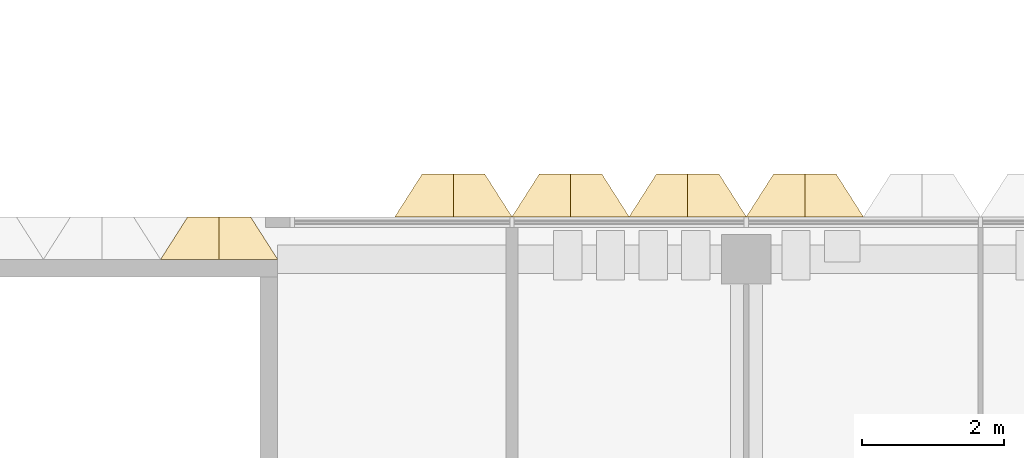
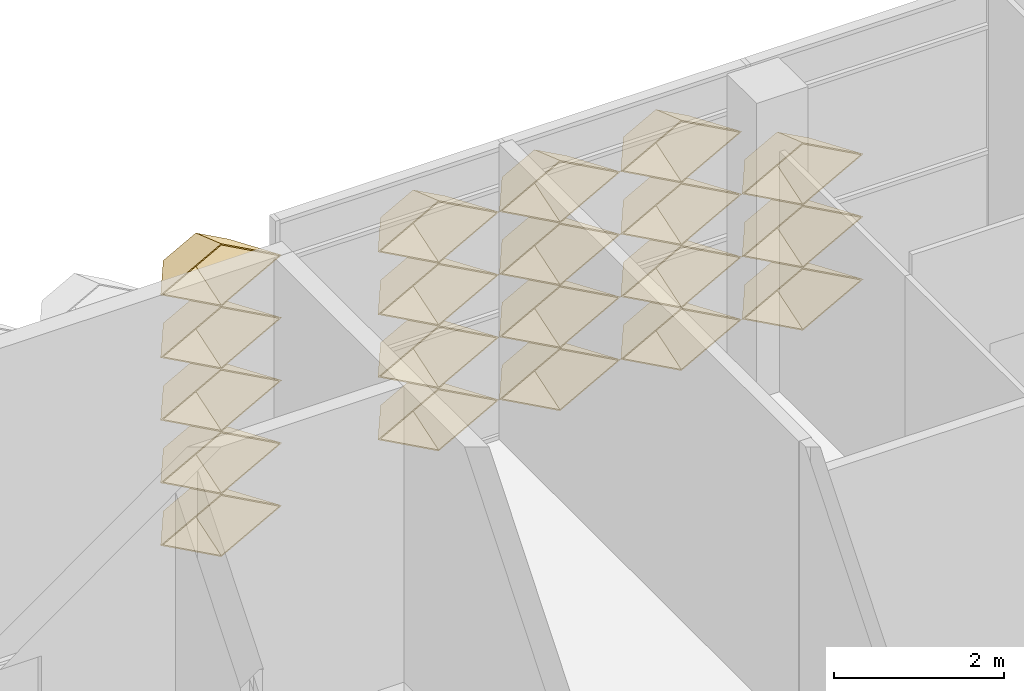
# One storey, part 45 of 61: 20 coverings.
"""IFC4 building model written with IfcOpenShell, lengths in metres."""

import ifcopenshell
import ifcopenshell.guid

model = None  # the IFC model being written
_history = None  # IfcOwnerHistory: only IFC2X3 demands one
_inside = {}  # id of a spatial element -> (the spatial element, [elements in it])
_under = {}  # id of a project, library or spatial element -> (it, [spatial elements below it])
_declared = {}  # id of a project -> (the project, [libraries it declares])
_typed = {}  # id of a type object -> (the type object, [elements of that type])
_made_of = {}  # id of a material, layer set ... -> (it, [elements and type objects made of it])


def new_model(schema):
    """Start an empty IFC model of exactly this schema.

    Asked for "IFC4X3", IfcOpenShell would pick the latest addendum, in which some entities
    have other attributes; the version numbers below select the first issue.
    IFC2X3 requires an IfcOwnerHistory on every rooted entity: one is made here for all.
    """
    global model, _history
    if schema == "IFC4X3":
        model = ifcopenshell.file(schema_version=(4, 3, 0, 0))
    else:
        model = ifcopenshell.file(schema=schema)
    _inside.clear()
    _under.clear()
    _declared.clear()
    _typed.clear()
    _made_of.clear()
    _history = None
    if model.schema == "IFC2X3":
        org = make("IfcOrganization", Name="unknown")
        user = make(
            "IfcPersonAndOrganization",
            ThePerson=make("IfcPerson", FamilyName="unknown"),
            TheOrganization=org,
        )
        app = make(
            "IfcApplication",
            ApplicationDeveloper=org,
            Version="unknown",
            ApplicationFullName="unknown",
            ApplicationIdentifier="unknown",
        )
        _history = make(
            "IfcOwnerHistory",
            OwningUser=user,
            OwningApplication=app,
            ChangeAction="ADDED",
            CreationDate=0,
        )
    return model


def make(cls, **values):
    """One entity of the class cls with the attributes given. An attribute that is None is left unset."""
    return model.create_entity(
        cls, **{name: value for name, value in values.items() if value is not None}
    )


def entity(cls, *values):
    """Any entity or typed value of the class cls, its attributes in the order of the schema. None: left unset."""
    e = model.create_entity(cls)
    for i, value in enumerate(values):
        if value is not None:
            e[i] = value
    return e


def rooted(cls, **values):
    """An entity with a GlobalId (a new one), such as an element, a storey or a relation."""
    return make(cls, GlobalId=ifcopenshell.guid.new(), OwnerHistory=_history, **values)


def si_unit(unit_type, name, prefix=None):
    """IfcSIUnit, for example si_unit("LENGTHUNIT", "METRE", prefix="MILLI")."""
    return make("IfcSIUnit", UnitType=unit_type, Prefix=prefix, Name=name)


def assignment(units):
    """IfcUnitAssignment: the units of a project."""
    return None if units is None else make("IfcUnitAssignment", Units=units)


def point(xyz):
    """IfcCartesianPoint."""
    return None if xyz is None else make("IfcCartesianPoint", Coordinates=xyz)


def direction(xyz):
    """IfcDirection."""
    return None if xyz is None else make("IfcDirection", DirectionRatios=xyz)


def frame(location, z_axis=None, x_axis=None):
    """IfcAxis2Placement3D, a coordinate frame: its origin and axes. An axis left out is left unset."""
    return make(
        "IfcAxis2Placement3D",
        Location=point(location),
        Axis=direction(z_axis),
        RefDirection=direction(x_axis),
    )


def origin():
    """The frame at (0, 0, 0) with its axes left unset."""
    return frame((0.0, 0.0, 0.0))


def place(relative_to, where):
    """IfcLocalPlacement: puts the frame where relative to a parent placement (None: the world)."""
    return make(
        "IfcLocalPlacement", PlacementRelTo=relative_to, RelativePlacement=where
    )


def context(
    kind, dimensions, precision=None, world=None, true_north=None, identifier=None
):
    """IfcGeometricRepresentationContext, for example the 3D "Model" context."""
    return make(
        "IfcGeometricRepresentationContext",
        ContextIdentifier=identifier,
        ContextType=kind,
        CoordinateSpaceDimension=dimensions,
        Precision=precision,
        WorldCoordinateSystem=world,
        TrueNorth=true_north,
    )


def subcontext(parent, identifier, kind, view, scale=None):
    """IfcGeometricRepresentationSubContext, for example "Body" below "Model"."""
    return make(
        "IfcGeometricRepresentationSubContext",
        ContextIdentifier=identifier,
        ContextType=kind,
        ParentContext=parent,
        TargetScale=scale,
        TargetView=view,
    )


def project(units=None, contexts=None):
    """IfcProject with its units and contexts."""
    return rooted(
        "IfcProject",
        Name="project",
        RepresentationContexts=contexts,
        UnitsInContext=assignment(units),
    )


def spatial(cls, under=None, at=None, **own):
    """A site, building, storey or space (cls), placed at a placement, below another one or the project."""
    s = rooted(cls, ObjectPlacement=at, **own)
    if under is not None:
        _under.setdefault(under.id(), (under, []))[1].append(s)
    return s


def shape(context_of_items, identifier, shape_type, items):
    """IfcShapeRepresentation: the items that make up one representation, for example the "Body"."""
    return make(
        "IfcShapeRepresentation",
        ContextOfItems=context_of_items,
        RepresentationIdentifier=identifier,
        RepresentationType=shape_type,
        Items=items,
    )


def material(Name=None, Category=None):
    """IfcMaterial."""
    return make("IfcMaterial", Name=Name, Category=Category)


def layer(
    of_material, thickness, ventilated=None, Name=None, Category=None, Priority=None
):
    """IfcMaterialLayer: one layer of a wall or slab, of a material (None: an air gap)."""
    return make(
        "IfcMaterialLayer",
        Material=of_material,
        LayerThickness=thickness,
        IsVentilated=ventilated,
        Name=Name,
        Category=Category,
        Priority=Priority,
    )


def layer_set(layers, Name=None):
    """IfcMaterialLayerSet."""
    return make("IfcMaterialLayerSet", MaterialLayers=layers, LayerSetName=Name)


def made_of(thing, what):
    """Note that an element or type object is made of a material, layer set ...; save() writes the relation."""
    if what is not None:
        _made_of.setdefault(what.id(), (what, []))[1].append(thing)
    return thing


def type_object(cls, material=None, **own):
    """A type object (cls), such as IfcWallType, which elements share."""
    return made_of(rooted(cls, **own), material)


def element(
    cls,
    number,
    at=None,
    inside=None,
    cuts=None,
    type_object=None,
    material=None,
    context=None,
    identifier="Body",
    shape_type=None,
    held_by="IfcProductDefinitionShape",
    body=None,
    shapes=None,
    **own,
):
    """One element of the class cls, such as IfcWall. Its Tag is "e" and its number.

    at: its placement. inside: the storey or other place that contains it. cuts: it is an
    opening in that element (IfcRelVoidsElement). A single representation is given by context,
    identifier, shape_type and body (its items); several are given by shapes. held_by: the class
    of the entity that holds the representations. save() writes the other relations.
    """
    e = rooted(cls, Tag="e%d" % number, ObjectPlacement=at, **own)
    if body is not None:
        shapes = [shape(context, identifier, shape_type, body)]
    if shapes is not None:
        e.Representation = make(held_by, Representations=shapes)
    if inside is not None:
        _inside.setdefault(inside.id(), (inside, []))[1].append(e)
    if cuts is not None:
        rooted(
            "IfcRelVoidsElement", RelatingBuildingElement=cuts, RelatedOpeningElement=e
        )
    if type_object is not None:
        _typed.setdefault(type_object.id(), (type_object, []))[1].append(e)
    return made_of(e, material)


def aggregate(whole, parts):
    """IfcRelAggregates: a whole, such as a stair, and the parts it consists of."""
    return rooted("IfcRelAggregates", RelatingObject=whole, RelatedObjects=parts)


def save(model, path):
    """Write the relations noted so far, then the file.

    IfcRelAggregates (storeys below a building ...), IfcRelContainedInSpatialStructure (elements
    in a storey), IfcRelDefinesByType, IfcRelAssociatesMaterial and IfcRelDeclares: one each for
    every whole, place, type object, material and project.
    """
    for whole, parts in _under.values():
        aggregate(whole, parts)
    for where, things in _inside.values():
        rooted(
            "IfcRelContainedInSpatialStructure",
            RelatedElements=things,
            RelatingStructure=where,
        )
    for kind, things in _typed.values():
        rooted("IfcRelDefinesByType", RelatedObjects=things, RelatingType=kind)
    for what, things in _made_of.values():
        rooted("IfcRelAssociatesMaterial", RelatedObjects=things, RelatingMaterial=what)
    for by, libraries in _declared.values():
        rooted("IfcRelDeclares", RelatingContext=by, RelatedDefinitions=libraries)
    model.write(path)


model = new_model("IFC4")

# Units and contexts
model_context = context("Model", 3, precision=1e-05, world=origin(), true_north=direction((0.0, 1.0)))
body_context = subcontext(model_context, "Body", "Model", "MODEL_VIEW")
ifc_project = project(units=[si_unit("LENGTHUNIT", "METRE"), si_unit("AREAUNIT", "SQUARE_METRE"), si_unit("VOLUMEUNIT", "CUBIC_METRE"), si_unit("PLANEANGLEUNIT", "RADIAN"), si_unit("MASSUNIT", "GRAM", prefix="KILO")], contexts=[model_context])

# Site, building, storey
site_placement = place(None, origin())
site = spatial("IfcSite", under=ifc_project, at=site_placement, CompositionType="ELEMENT")
building_placement = place(site_placement, origin())
building = spatial("IfcBuilding", under=site, at=building_placement, Name="Lantern Court Research Institute", CompositionType="ELEMENT")
storey_placement = place(building_placement, frame((0.0, 0.0, 23.39990234375)))
storey = spatial("IfcBuildingStorey", under=building, at=storey_placement, Name="L05", CompositionType="ELEMENT", Elevation=23.39990234375)

# Coverings
ifc_material = material(Name="Anodised aluminium", Category="aluminium")
ifc_layer = layer(ifc_material, 0.01611328125)
ifc_layer_set = layer_set([ifc_layer], Name="Anodised aluminium")
covering_type = type_object("IfcCoveringType", Name="Fin cassette 1650 x 900 x 600 aluminium", PredefinedType="CLADDING", material=ifc_layer_set)
covering_1_placement = place(storey_placement, frame((38.77490234375, 23.10009765625, 0.4501953125), z_axis=(0.0, 1.0, 0.0), x_axis=(-1.0, 0.0, 0.0)))
cartesian_point_1 = entity("IfcCartesianPoint", [0.824951171875, 0.0])
cartesian_point_2 = entity("IfcCartesianPoint", [0.79150390625, 0.0])
cartesian_point_3 = entity("IfcCartesianPoint", [0.44189453125, 0.0])
cartesian_point_4 = entity("IfcCartesianPoint", [0.43359375, 0.0])
element("IfcCovering", 1, at=covering_1_placement, inside=storey, type_object=covering_type, Name="Fin cassette V4N-L05 1.24", PredefinedType="CLADDING", context=body_context, shape_type="SweptSolid", body=[
    entity("IfcExtrudedAreaSolidTapered", entity("IfcArbitraryProfileDefWithVoids", "AREA", None, entity("IfcPolyline", [cartesian_point_1, entity("IfcCartesianPoint", [0.0, 0.449951171875]), entity("IfcCartesianPoint", [-0.824951171875, 0.0]), entity("IfcCartesianPoint", [0.0, -0.449951171875]), cartesian_point_1]), [entity("IfcPolyline", [cartesian_point_2, entity("IfcCartesianPoint", [0.0, 0.431884765625]), entity("IfcCartesianPoint", [-0.79150390625, 0.0]), entity("IfcCartesianPoint", [0.0, -0.431884765625]), cartesian_point_2])]), entity("IfcAxis2Placement3D", entity("IfcCartesianPoint", [0.0, 0.0, 0.0])), entity("IfcDirection", [0.0, 0.0, 1.0]), 0.60009765625, entity("IfcArbitraryProfileDefWithVoids", "AREA", None, entity("IfcPolyline", [cartesian_point_3, entity("IfcCartesianPoint", [0.0, 0.240966796875]), entity("IfcCartesianPoint", [-0.44189453125, 0.0]), entity("IfcCartesianPoint", [0.0, -0.240966796875]), cartesian_point_3]), [entity("IfcPolyline", [cartesian_point_4, entity("IfcCartesianPoint", [0.0, 0.236572265625]), entity("IfcCartesianPoint", [-0.43359375, 0.0]), entity("IfcCartesianPoint", [0.0, -0.236572265625]), cartesian_point_4])])),
])
covering_2_placement = place(storey_placement, frame((38.77490234375, 23.10009765625, 1.35009765625), z_axis=(0.0, 1.0, 0.0), x_axis=(-1.0, 0.0, 0.0)))
cartesian_point_5 = entity("IfcCartesianPoint", [0.824951171875, 0.0])
cartesian_point_6 = entity("IfcCartesianPoint", [0.79150390625, 0.0])
cartesian_point_7 = entity("IfcCartesianPoint", [0.44189453125, 0.0])
cartesian_point_8 = entity("IfcCartesianPoint", [0.43359375, 0.0])
element("IfcCovering", 2, at=covering_2_placement, inside=storey, type_object=covering_type, Name="Fin cassette V4N-L05 2.24", PredefinedType="CLADDING", context=body_context, shape_type="SweptSolid", body=[
    entity("IfcExtrudedAreaSolidTapered", entity("IfcArbitraryProfileDefWithVoids", "AREA", None, entity("IfcPolyline", [cartesian_point_5, entity("IfcCartesianPoint", [0.0, 0.449951171875]), entity("IfcCartesianPoint", [-0.824951171875, 0.0]), entity("IfcCartesianPoint", [0.0, -0.449951171875]), cartesian_point_5]), [entity("IfcPolyline", [cartesian_point_6, entity("IfcCartesianPoint", [0.0, 0.431884765625]), entity("IfcCartesianPoint", [-0.79150390625, 0.0]), entity("IfcCartesianPoint", [0.0, -0.431884765625]), cartesian_point_6])]), entity("IfcAxis2Placement3D", entity("IfcCartesianPoint", [0.0, 0.0, 0.0])), entity("IfcDirection", [0.0, 0.0, 1.0]), 0.60009765625, entity("IfcArbitraryProfileDefWithVoids", "AREA", None, entity("IfcPolyline", [cartesian_point_7, entity("IfcCartesianPoint", [0.0, 0.240966796875]), entity("IfcCartesianPoint", [-0.44189453125, 0.0]), entity("IfcCartesianPoint", [0.0, -0.240966796875]), cartesian_point_7]), [entity("IfcPolyline", [cartesian_point_8, entity("IfcCartesianPoint", [0.0, 0.236572265625]), entity("IfcCartesianPoint", [-0.43359375, 0.0]), entity("IfcCartesianPoint", [0.0, -0.236572265625]), cartesian_point_8])])),
])
covering_3_placement = place(storey_placement, frame((38.77490234375, 23.10009765625, 2.25), z_axis=(0.0, 1.0, 0.0), x_axis=(-1.0, 0.0, 0.0)))
cartesian_point_9 = entity("IfcCartesianPoint", [0.824951171875, 0.0])
cartesian_point_10 = entity("IfcCartesianPoint", [0.79150390625, 0.0])
cartesian_point_11 = entity("IfcCartesianPoint", [0.44189453125, 0.0])
cartesian_point_12 = entity("IfcCartesianPoint", [0.43359375, 0.0])
element("IfcCovering", 3, at=covering_3_placement, inside=storey, type_object=covering_type, Name="Fin cassette V4N-L05 3.24", PredefinedType="CLADDING", context=body_context, shape_type="SweptSolid", body=[
    entity("IfcExtrudedAreaSolidTapered", entity("IfcArbitraryProfileDefWithVoids", "AREA", None, entity("IfcPolyline", [cartesian_point_9, entity("IfcCartesianPoint", [0.0, 0.449951171875]), entity("IfcCartesianPoint", [-0.824951171875, 0.0]), entity("IfcCartesianPoint", [0.0, -0.449951171875]), cartesian_point_9]), [entity("IfcPolyline", [cartesian_point_10, entity("IfcCartesianPoint", [0.0, 0.431884765625]), entity("IfcCartesianPoint", [-0.79150390625, 0.0]), entity("IfcCartesianPoint", [0.0, -0.431884765625]), cartesian_point_10])]), entity("IfcAxis2Placement3D", entity("IfcCartesianPoint", [0.0, 0.0, 0.0])), entity("IfcDirection", [0.0, 0.0, 1.0]), 0.60009765625, entity("IfcArbitraryProfileDefWithVoids", "AREA", None, entity("IfcPolyline", [cartesian_point_11, entity("IfcCartesianPoint", [0.0, 0.240966796875]), entity("IfcCartesianPoint", [-0.44189453125, 0.0]), entity("IfcCartesianPoint", [0.0, -0.240966796875]), cartesian_point_11]), [entity("IfcPolyline", [cartesian_point_12, entity("IfcCartesianPoint", [0.0, 0.236572265625]), entity("IfcCartesianPoint", [-0.43359375, 0.0]), entity("IfcCartesianPoint", [0.0, -0.236572265625]), cartesian_point_12])])),
])
covering_4_placement = place(storey_placement, frame((38.77490234375, 23.10009765625, 3.150146484375), z_axis=(0.0, 1.0, 0.0), x_axis=(-1.0, 0.0, 0.0)))
cartesian_point_13 = entity("IfcCartesianPoint", [0.824951171875, 0.0])
cartesian_point_14 = entity("IfcCartesianPoint", [0.79150390625, 0.0])
cartesian_point_15 = entity("IfcCartesianPoint", [0.44189453125, 0.0])
cartesian_point_16 = entity("IfcCartesianPoint", [0.43359375, 0.0])
element("IfcCovering", 4, at=covering_4_placement, inside=storey, type_object=covering_type, Name="Fin cassette V4N-L05 4.24", PredefinedType="CLADDING", context=body_context, shape_type="SweptSolid", body=[
    entity("IfcExtrudedAreaSolidTapered", entity("IfcArbitraryProfileDefWithVoids", "AREA", None, entity("IfcPolyline", [cartesian_point_13, entity("IfcCartesianPoint", [0.0, 0.449951171875]), entity("IfcCartesianPoint", [-0.824951171875, 0.0]), entity("IfcCartesianPoint", [0.0, -0.449951171875]), cartesian_point_13]), [entity("IfcPolyline", [cartesian_point_14, entity("IfcCartesianPoint", [0.0, 0.431884765625]), entity("IfcCartesianPoint", [-0.79150390625, 0.0]), entity("IfcCartesianPoint", [0.0, -0.431884765625]), cartesian_point_14])]), entity("IfcAxis2Placement3D", entity("IfcCartesianPoint", [0.0, 0.0, 0.0])), entity("IfcDirection", [0.0, 0.0, 1.0]), 0.60009765625, entity("IfcArbitraryProfileDefWithVoids", "AREA", None, entity("IfcPolyline", [cartesian_point_15, entity("IfcCartesianPoint", [0.0, 0.240966796875]), entity("IfcCartesianPoint", [-0.44189453125, 0.0]), entity("IfcCartesianPoint", [0.0, -0.240966796875]), cartesian_point_15]), [entity("IfcPolyline", [cartesian_point_16, entity("IfcCartesianPoint", [0.0, 0.236572265625]), entity("IfcCartesianPoint", [-0.43359375, 0.0]), entity("IfcCartesianPoint", [0.0, -0.236572265625]), cartesian_point_16])])),
])
covering_5_placement = place(storey_placement, frame((38.77490234375, 23.10009765625, 4.050048828125), z_axis=(0.0, 1.0, 0.0), x_axis=(-1.0, 0.0, 0.0)))
cartesian_point_17 = entity("IfcCartesianPoint", [0.824951171875, 0.0])
cartesian_point_18 = entity("IfcCartesianPoint", [0.79150390625, 0.0])
cartesian_point_19 = entity("IfcCartesianPoint", [0.44189453125, 0.0])
cartesian_point_20 = entity("IfcCartesianPoint", [0.43359375, 0.0])
element("IfcCovering", 5, at=covering_5_placement, inside=storey, type_object=covering_type, Name="Fin cassette V4N-L05 5.24", PredefinedType="CLADDING", context=body_context, shape_type="SweptSolid", body=[
    entity("IfcExtrudedAreaSolidTapered", entity("IfcArbitraryProfileDefWithVoids", "AREA", None, entity("IfcPolyline", [cartesian_point_17, entity("IfcCartesianPoint", [0.0, 0.449951171875]), entity("IfcCartesianPoint", [-0.824951171875, 0.0]), entity("IfcCartesianPoint", [0.0, -0.449951171875]), cartesian_point_17]), [entity("IfcPolyline", [cartesian_point_18, entity("IfcCartesianPoint", [0.0, 0.431884765625]), entity("IfcCartesianPoint", [-0.79150390625, 0.0]), entity("IfcCartesianPoint", [0.0, -0.431884765625]), cartesian_point_18])]), entity("IfcAxis2Placement3D", entity("IfcCartesianPoint", [0.0, 0.0, 0.0])), entity("IfcDirection", [0.0, 0.0, 1.0]), 0.60009765625, entity("IfcArbitraryProfileDefWithVoids", "AREA", None, entity("IfcPolyline", [cartesian_point_19, entity("IfcCartesianPoint", [0.0, 0.240966796875]), entity("IfcCartesianPoint", [-0.44189453125, 0.0]), entity("IfcCartesianPoint", [0.0, -0.240966796875]), cartesian_point_19]), [entity("IfcPolyline", [cartesian_point_20, entity("IfcCartesianPoint", [0.0, 0.236572265625]), entity("IfcCartesianPoint", [-0.43359375, 0.0]), entity("IfcCartesianPoint", [0.0, -0.236572265625]), cartesian_point_20])])),
])
covering_6_placement = place(storey_placement, frame((42.074951171875, 23.699951171875, 0.4501953125), z_axis=(0.0, 1.0, 0.0), x_axis=(-1.0, 0.0, 0.0)))
cartesian_point_21 = entity("IfcCartesianPoint", [0.824951171875, 0.0])
cartesian_point_22 = entity("IfcCartesianPoint", [0.79150390625, 0.0])
cartesian_point_23 = entity("IfcCartesianPoint", [0.44189453125, 0.0])
cartesian_point_24 = entity("IfcCartesianPoint", [0.43359375, 0.0])
element("IfcCovering", 6, at=covering_6_placement, inside=storey, type_object=covering_type, Name="Fin cassette V4N-L05 1.26", PredefinedType="CLADDING", context=body_context, shape_type="SweptSolid", body=[
    entity("IfcExtrudedAreaSolidTapered", entity("IfcArbitraryProfileDefWithVoids", "AREA", None, entity("IfcPolyline", [cartesian_point_21, entity("IfcCartesianPoint", [0.0, 0.449951171875]), entity("IfcCartesianPoint", [-0.824951171875, 0.0]), entity("IfcCartesianPoint", [0.0, -0.449951171875]), cartesian_point_21]), [entity("IfcPolyline", [cartesian_point_22, entity("IfcCartesianPoint", [0.0, 0.431884765625]), entity("IfcCartesianPoint", [-0.79150390625, 0.0]), entity("IfcCartesianPoint", [0.0, -0.431884765625]), cartesian_point_22])]), entity("IfcAxis2Placement3D", entity("IfcCartesianPoint", [0.0, 0.0, 0.0])), entity("IfcDirection", [0.0, 0.0, 1.0]), 0.60009765625, entity("IfcArbitraryProfileDefWithVoids", "AREA", None, entity("IfcPolyline", [cartesian_point_23, entity("IfcCartesianPoint", [0.0, 0.240966796875]), entity("IfcCartesianPoint", [-0.44189453125, 0.0]), entity("IfcCartesianPoint", [0.0, -0.240966796875]), cartesian_point_23]), [entity("IfcPolyline", [cartesian_point_24, entity("IfcCartesianPoint", [0.0, 0.236572265625]), entity("IfcCartesianPoint", [-0.43359375, 0.0]), entity("IfcCartesianPoint", [0.0, -0.236572265625]), cartesian_point_24])])),
])
covering_7_placement = place(storey_placement, frame((43.72509765625, 23.699951171875, 0.4501953125), z_axis=(0.0, 1.0, 0.0), x_axis=(-1.0, 0.0, 0.0)))
cartesian_point_25 = entity("IfcCartesianPoint", [0.824951171875, 0.0])
cartesian_point_26 = entity("IfcCartesianPoint", [0.79150390625, 0.0])
cartesian_point_27 = entity("IfcCartesianPoint", [0.44189453125, 0.0])
cartesian_point_28 = entity("IfcCartesianPoint", [0.43359375, 0.0])
element("IfcCovering", 7, at=covering_7_placement, inside=storey, type_object=covering_type, Name="Fin cassette V4N-L05 1.27", PredefinedType="CLADDING", context=body_context, shape_type="SweptSolid", body=[
    entity("IfcExtrudedAreaSolidTapered", entity("IfcArbitraryProfileDefWithVoids", "AREA", None, entity("IfcPolyline", [cartesian_point_25, entity("IfcCartesianPoint", [0.0, 0.449951171875]), entity("IfcCartesianPoint", [-0.824951171875, 0.0]), entity("IfcCartesianPoint", [0.0, -0.449951171875]), cartesian_point_25]), [entity("IfcPolyline", [cartesian_point_26, entity("IfcCartesianPoint", [0.0, 0.431884765625]), entity("IfcCartesianPoint", [-0.79150390625, 0.0]), entity("IfcCartesianPoint", [0.0, -0.431884765625]), cartesian_point_26])]), entity("IfcAxis2Placement3D", entity("IfcCartesianPoint", [0.0, 0.0, 0.0])), entity("IfcDirection", [0.0, 0.0, 1.0]), 0.60009765625, entity("IfcArbitraryProfileDefWithVoids", "AREA", None, entity("IfcPolyline", [cartesian_point_27, entity("IfcCartesianPoint", [0.0, 0.240966796875]), entity("IfcCartesianPoint", [-0.44189453125, 0.0]), entity("IfcCartesianPoint", [0.0, -0.240966796875]), cartesian_point_27]), [entity("IfcPolyline", [cartesian_point_28, entity("IfcCartesianPoint", [0.0, 0.236572265625]), entity("IfcCartesianPoint", [-0.43359375, 0.0]), entity("IfcCartesianPoint", [0.0, -0.236572265625]), cartesian_point_28])])),
])
covering_8_placement = place(storey_placement, frame((45.375, 23.699951171875, 0.4501953125), z_axis=(0.0, 1.0, 0.0), x_axis=(-1.0, 0.0, 0.0)))
cartesian_point_29 = entity("IfcCartesianPoint", [0.824951171875, 0.0])
cartesian_point_30 = entity("IfcCartesianPoint", [0.79150390625, 0.0])
cartesian_point_31 = entity("IfcCartesianPoint", [0.44189453125, 0.0])
cartesian_point_32 = entity("IfcCartesianPoint", [0.43359375, 0.0])
element("IfcCovering", 8, at=covering_8_placement, inside=storey, type_object=covering_type, Name="Fin cassette V4N-L05 1.28", PredefinedType="CLADDING", context=body_context, shape_type="SweptSolid", body=[
    entity("IfcExtrudedAreaSolidTapered", entity("IfcArbitraryProfileDefWithVoids", "AREA", None, entity("IfcPolyline", [cartesian_point_29, entity("IfcCartesianPoint", [0.0, 0.449951171875]), entity("IfcCartesianPoint", [-0.824951171875, 0.0]), entity("IfcCartesianPoint", [0.0, -0.449951171875]), cartesian_point_29]), [entity("IfcPolyline", [cartesian_point_30, entity("IfcCartesianPoint", [0.0, 0.431884765625]), entity("IfcCartesianPoint", [-0.79150390625, 0.0]), entity("IfcCartesianPoint", [0.0, -0.431884765625]), cartesian_point_30])]), entity("IfcAxis2Placement3D", entity("IfcCartesianPoint", [0.0, 0.0, 0.0])), entity("IfcDirection", [0.0, 0.0, 1.0]), 0.60009765625, entity("IfcArbitraryProfileDefWithVoids", "AREA", None, entity("IfcPolyline", [cartesian_point_31, entity("IfcCartesianPoint", [0.0, 0.240966796875]), entity("IfcCartesianPoint", [-0.44189453125, 0.0]), entity("IfcCartesianPoint", [0.0, -0.240966796875]), cartesian_point_31]), [entity("IfcPolyline", [cartesian_point_32, entity("IfcCartesianPoint", [0.0, 0.236572265625]), entity("IfcCartesianPoint", [-0.43359375, 0.0]), entity("IfcCartesianPoint", [0.0, -0.236572265625]), cartesian_point_32])])),
])
covering_9_placement = place(storey_placement, frame((47.02490234375, 23.699951171875, 0.4501953125), z_axis=(0.0, 1.0, 0.0), x_axis=(-1.0, 0.0, 0.0)))
cartesian_point_33 = entity("IfcCartesianPoint", [0.824951171875, 0.0])
cartesian_point_34 = entity("IfcCartesianPoint", [0.79150390625, 0.0])
cartesian_point_35 = entity("IfcCartesianPoint", [0.44189453125, 0.0])
cartesian_point_36 = entity("IfcCartesianPoint", [0.43359375, 0.0])
element("IfcCovering", 9, at=covering_9_placement, inside=storey, type_object=covering_type, Name="Fin cassette V4N-L05 1.29", PredefinedType="CLADDING", context=body_context, shape_type="SweptSolid", body=[
    entity("IfcExtrudedAreaSolidTapered", entity("IfcArbitraryProfileDefWithVoids", "AREA", None, entity("IfcPolyline", [cartesian_point_33, entity("IfcCartesianPoint", [0.0, 0.449951171875]), entity("IfcCartesianPoint", [-0.824951171875, 0.0]), entity("IfcCartesianPoint", [0.0, -0.449951171875]), cartesian_point_33]), [entity("IfcPolyline", [cartesian_point_34, entity("IfcCartesianPoint", [0.0, 0.431884765625]), entity("IfcCartesianPoint", [-0.79150390625, 0.0]), entity("IfcCartesianPoint", [0.0, -0.431884765625]), cartesian_point_34])]), entity("IfcAxis2Placement3D", entity("IfcCartesianPoint", [0.0, 0.0, 0.0])), entity("IfcDirection", [0.0, 0.0, 1.0]), 0.60009765625, entity("IfcArbitraryProfileDefWithVoids", "AREA", None, entity("IfcPolyline", [cartesian_point_35, entity("IfcCartesianPoint", [0.0, 0.240966796875]), entity("IfcCartesianPoint", [-0.44189453125, 0.0]), entity("IfcCartesianPoint", [0.0, -0.240966796875]), cartesian_point_35]), [entity("IfcPolyline", [cartesian_point_36, entity("IfcCartesianPoint", [0.0, 0.236572265625]), entity("IfcCartesianPoint", [-0.43359375, 0.0]), entity("IfcCartesianPoint", [0.0, -0.236572265625]), cartesian_point_36])])),
])
covering_10_placement = place(storey_placement, frame((42.074951171875, 23.699951171875, 1.35009765625), z_axis=(0.0, 1.0, 0.0), x_axis=(-1.0, 0.0, 0.0)))
cartesian_point_37 = entity("IfcCartesianPoint", [0.824951171875, 0.0])
cartesian_point_38 = entity("IfcCartesianPoint", [0.79150390625, 0.0])
cartesian_point_39 = entity("IfcCartesianPoint", [0.44189453125, 0.0])
cartesian_point_40 = entity("IfcCartesianPoint", [0.43359375, 0.0])
element("IfcCovering", 10, at=covering_10_placement, inside=storey, type_object=covering_type, Name="Fin cassette V4N-L05 2.26", PredefinedType="CLADDING", context=body_context, shape_type="SweptSolid", body=[
    entity("IfcExtrudedAreaSolidTapered", entity("IfcArbitraryProfileDefWithVoids", "AREA", None, entity("IfcPolyline", [cartesian_point_37, entity("IfcCartesianPoint", [0.0, 0.449951171875]), entity("IfcCartesianPoint", [-0.824951171875, 0.0]), entity("IfcCartesianPoint", [0.0, -0.449951171875]), cartesian_point_37]), [entity("IfcPolyline", [cartesian_point_38, entity("IfcCartesianPoint", [0.0, 0.431884765625]), entity("IfcCartesianPoint", [-0.79150390625, 0.0]), entity("IfcCartesianPoint", [0.0, -0.431884765625]), cartesian_point_38])]), entity("IfcAxis2Placement3D", entity("IfcCartesianPoint", [0.0, 0.0, 0.0])), entity("IfcDirection", [0.0, 0.0, 1.0]), 0.60009765625, entity("IfcArbitraryProfileDefWithVoids", "AREA", None, entity("IfcPolyline", [cartesian_point_39, entity("IfcCartesianPoint", [0.0, 0.240966796875]), entity("IfcCartesianPoint", [-0.44189453125, 0.0]), entity("IfcCartesianPoint", [0.0, -0.240966796875]), cartesian_point_39]), [entity("IfcPolyline", [cartesian_point_40, entity("IfcCartesianPoint", [0.0, 0.236572265625]), entity("IfcCartesianPoint", [-0.43359375, 0.0]), entity("IfcCartesianPoint", [0.0, -0.236572265625]), cartesian_point_40])])),
])
covering_11_placement = place(storey_placement, frame((43.72509765625, 23.699951171875, 1.35009765625), z_axis=(0.0, 1.0, 0.0), x_axis=(-1.0, 0.0, 0.0)))
cartesian_point_41 = entity("IfcCartesianPoint", [0.824951171875, 0.0])
cartesian_point_42 = entity("IfcCartesianPoint", [0.79150390625, 0.0])
cartesian_point_43 = entity("IfcCartesianPoint", [0.44189453125, 0.0])
cartesian_point_44 = entity("IfcCartesianPoint", [0.43359375, 0.0])
element("IfcCovering", 11, at=covering_11_placement, inside=storey, type_object=covering_type, Name="Fin cassette V4N-L05 2.27", PredefinedType="CLADDING", context=body_context, shape_type="SweptSolid", body=[
    entity("IfcExtrudedAreaSolidTapered", entity("IfcArbitraryProfileDefWithVoids", "AREA", None, entity("IfcPolyline", [cartesian_point_41, entity("IfcCartesianPoint", [0.0, 0.449951171875]), entity("IfcCartesianPoint", [-0.824951171875, 0.0]), entity("IfcCartesianPoint", [0.0, -0.449951171875]), cartesian_point_41]), [entity("IfcPolyline", [cartesian_point_42, entity("IfcCartesianPoint", [0.0, 0.431884765625]), entity("IfcCartesianPoint", [-0.79150390625, 0.0]), entity("IfcCartesianPoint", [0.0, -0.431884765625]), cartesian_point_42])]), entity("IfcAxis2Placement3D", entity("IfcCartesianPoint", [0.0, 0.0, 0.0])), entity("IfcDirection", [0.0, 0.0, 1.0]), 0.60009765625, entity("IfcArbitraryProfileDefWithVoids", "AREA", None, entity("IfcPolyline", [cartesian_point_43, entity("IfcCartesianPoint", [0.0, 0.240966796875]), entity("IfcCartesianPoint", [-0.44189453125, 0.0]), entity("IfcCartesianPoint", [0.0, -0.240966796875]), cartesian_point_43]), [entity("IfcPolyline", [cartesian_point_44, entity("IfcCartesianPoint", [0.0, 0.236572265625]), entity("IfcCartesianPoint", [-0.43359375, 0.0]), entity("IfcCartesianPoint", [0.0, -0.236572265625]), cartesian_point_44])])),
])
covering_12_placement = place(storey_placement, frame((45.375, 23.699951171875, 1.35009765625), z_axis=(0.0, 1.0, 0.0), x_axis=(-1.0, 0.0, 0.0)))
cartesian_point_45 = entity("IfcCartesianPoint", [0.824951171875, 0.0])
cartesian_point_46 = entity("IfcCartesianPoint", [0.79150390625, 0.0])
cartesian_point_47 = entity("IfcCartesianPoint", [0.44189453125, 0.0])
cartesian_point_48 = entity("IfcCartesianPoint", [0.43359375, 0.0])
element("IfcCovering", 12, at=covering_12_placement, inside=storey, type_object=covering_type, Name="Fin cassette V4N-L05 2.28", PredefinedType="CLADDING", context=body_context, shape_type="SweptSolid", body=[
    entity("IfcExtrudedAreaSolidTapered", entity("IfcArbitraryProfileDefWithVoids", "AREA", None, entity("IfcPolyline", [cartesian_point_45, entity("IfcCartesianPoint", [0.0, 0.449951171875]), entity("IfcCartesianPoint", [-0.824951171875, 0.0]), entity("IfcCartesianPoint", [0.0, -0.449951171875]), cartesian_point_45]), [entity("IfcPolyline", [cartesian_point_46, entity("IfcCartesianPoint", [0.0, 0.431884765625]), entity("IfcCartesianPoint", [-0.79150390625, 0.0]), entity("IfcCartesianPoint", [0.0, -0.431884765625]), cartesian_point_46])]), entity("IfcAxis2Placement3D", entity("IfcCartesianPoint", [0.0, 0.0, 0.0])), entity("IfcDirection", [0.0, 0.0, 1.0]), 0.60009765625, entity("IfcArbitraryProfileDefWithVoids", "AREA", None, entity("IfcPolyline", [cartesian_point_47, entity("IfcCartesianPoint", [0.0, 0.240966796875]), entity("IfcCartesianPoint", [-0.44189453125, 0.0]), entity("IfcCartesianPoint", [0.0, -0.240966796875]), cartesian_point_47]), [entity("IfcPolyline", [cartesian_point_48, entity("IfcCartesianPoint", [0.0, 0.236572265625]), entity("IfcCartesianPoint", [-0.43359375, 0.0]), entity("IfcCartesianPoint", [0.0, -0.236572265625]), cartesian_point_48])])),
])
covering_13_placement = place(storey_placement, frame((47.02490234375, 23.699951171875, 1.35009765625), z_axis=(0.0, 1.0, 0.0), x_axis=(-1.0, 0.0, 0.0)))
cartesian_point_49 = entity("IfcCartesianPoint", [0.824951171875, 0.0])
cartesian_point_50 = entity("IfcCartesianPoint", [0.79150390625, 0.0])
cartesian_point_51 = entity("IfcCartesianPoint", [0.44189453125, 0.0])
cartesian_point_52 = entity("IfcCartesianPoint", [0.43359375, 0.0])
element("IfcCovering", 13, at=covering_13_placement, inside=storey, type_object=covering_type, Name="Fin cassette V4N-L05 2.29", PredefinedType="CLADDING", context=body_context, shape_type="SweptSolid", body=[
    entity("IfcExtrudedAreaSolidTapered", entity("IfcArbitraryProfileDefWithVoids", "AREA", None, entity("IfcPolyline", [cartesian_point_49, entity("IfcCartesianPoint", [0.0, 0.449951171875]), entity("IfcCartesianPoint", [-0.824951171875, 0.0]), entity("IfcCartesianPoint", [0.0, -0.449951171875]), cartesian_point_49]), [entity("IfcPolyline", [cartesian_point_50, entity("IfcCartesianPoint", [0.0, 0.431884765625]), entity("IfcCartesianPoint", [-0.79150390625, 0.0]), entity("IfcCartesianPoint", [0.0, -0.431884765625]), cartesian_point_50])]), entity("IfcAxis2Placement3D", entity("IfcCartesianPoint", [0.0, 0.0, 0.0])), entity("IfcDirection", [0.0, 0.0, 1.0]), 0.60009765625, entity("IfcArbitraryProfileDefWithVoids", "AREA", None, entity("IfcPolyline", [cartesian_point_51, entity("IfcCartesianPoint", [0.0, 0.240966796875]), entity("IfcCartesianPoint", [-0.44189453125, 0.0]), entity("IfcCartesianPoint", [0.0, -0.240966796875]), cartesian_point_51]), [entity("IfcPolyline", [cartesian_point_52, entity("IfcCartesianPoint", [0.0, 0.236572265625]), entity("IfcCartesianPoint", [-0.43359375, 0.0]), entity("IfcCartesianPoint", [0.0, -0.236572265625]), cartesian_point_52])])),
])
covering_14_placement = place(storey_placement, frame((42.074951171875, 23.699951171875, 2.25), z_axis=(0.0, 1.0, 0.0), x_axis=(-1.0, 0.0, 0.0)))
cartesian_point_53 = entity("IfcCartesianPoint", [0.824951171875, 0.0])
cartesian_point_54 = entity("IfcCartesianPoint", [0.79150390625, 0.0])
cartesian_point_55 = entity("IfcCartesianPoint", [0.44189453125, 0.0])
cartesian_point_56 = entity("IfcCartesianPoint", [0.43359375, 0.0])
element("IfcCovering", 14, at=covering_14_placement, inside=storey, type_object=covering_type, Name="Fin cassette V4N-L05 3.26", PredefinedType="CLADDING", context=body_context, shape_type="SweptSolid", body=[
    entity("IfcExtrudedAreaSolidTapered", entity("IfcArbitraryProfileDefWithVoids", "AREA", None, entity("IfcPolyline", [cartesian_point_53, entity("IfcCartesianPoint", [0.0, 0.449951171875]), entity("IfcCartesianPoint", [-0.824951171875, 0.0]), entity("IfcCartesianPoint", [0.0, -0.449951171875]), cartesian_point_53]), [entity("IfcPolyline", [cartesian_point_54, entity("IfcCartesianPoint", [0.0, 0.431884765625]), entity("IfcCartesianPoint", [-0.79150390625, 0.0]), entity("IfcCartesianPoint", [0.0, -0.431884765625]), cartesian_point_54])]), entity("IfcAxis2Placement3D", entity("IfcCartesianPoint", [0.0, 0.0, 0.0])), entity("IfcDirection", [0.0, 0.0, 1.0]), 0.60009765625, entity("IfcArbitraryProfileDefWithVoids", "AREA", None, entity("IfcPolyline", [cartesian_point_55, entity("IfcCartesianPoint", [0.0, 0.240966796875]), entity("IfcCartesianPoint", [-0.44189453125, 0.0]), entity("IfcCartesianPoint", [0.0, -0.240966796875]), cartesian_point_55]), [entity("IfcPolyline", [cartesian_point_56, entity("IfcCartesianPoint", [0.0, 0.236572265625]), entity("IfcCartesianPoint", [-0.43359375, 0.0]), entity("IfcCartesianPoint", [0.0, -0.236572265625]), cartesian_point_56])])),
])
covering_15_placement = place(storey_placement, frame((43.72509765625, 23.699951171875, 2.25), z_axis=(0.0, 1.0, 0.0), x_axis=(-1.0, 0.0, 0.0)))
cartesian_point_57 = entity("IfcCartesianPoint", [0.824951171875, 0.0])
cartesian_point_58 = entity("IfcCartesianPoint", [0.79150390625, 0.0])
cartesian_point_59 = entity("IfcCartesianPoint", [0.44189453125, 0.0])
cartesian_point_60 = entity("IfcCartesianPoint", [0.43359375, 0.0])
element("IfcCovering", 15, at=covering_15_placement, inside=storey, type_object=covering_type, Name="Fin cassette V4N-L05 3.27", PredefinedType="CLADDING", context=body_context, shape_type="SweptSolid", body=[
    entity("IfcExtrudedAreaSolidTapered", entity("IfcArbitraryProfileDefWithVoids", "AREA", None, entity("IfcPolyline", [cartesian_point_57, entity("IfcCartesianPoint", [0.0, 0.449951171875]), entity("IfcCartesianPoint", [-0.824951171875, 0.0]), entity("IfcCartesianPoint", [0.0, -0.449951171875]), cartesian_point_57]), [entity("IfcPolyline", [cartesian_point_58, entity("IfcCartesianPoint", [0.0, 0.431884765625]), entity("IfcCartesianPoint", [-0.79150390625, 0.0]), entity("IfcCartesianPoint", [0.0, -0.431884765625]), cartesian_point_58])]), entity("IfcAxis2Placement3D", entity("IfcCartesianPoint", [0.0, 0.0, 0.0])), entity("IfcDirection", [0.0, 0.0, 1.0]), 0.60009765625, entity("IfcArbitraryProfileDefWithVoids", "AREA", None, entity("IfcPolyline", [cartesian_point_59, entity("IfcCartesianPoint", [0.0, 0.240966796875]), entity("IfcCartesianPoint", [-0.44189453125, 0.0]), entity("IfcCartesianPoint", [0.0, -0.240966796875]), cartesian_point_59]), [entity("IfcPolyline", [cartesian_point_60, entity("IfcCartesianPoint", [0.0, 0.236572265625]), entity("IfcCartesianPoint", [-0.43359375, 0.0]), entity("IfcCartesianPoint", [0.0, -0.236572265625]), cartesian_point_60])])),
])
covering_16_placement = place(storey_placement, frame((45.375, 23.699951171875, 2.25), z_axis=(0.0, 1.0, 0.0), x_axis=(-1.0, 0.0, 0.0)))
cartesian_point_61 = entity("IfcCartesianPoint", [0.824951171875, 0.0])
cartesian_point_62 = entity("IfcCartesianPoint", [0.79150390625, 0.0])
cartesian_point_63 = entity("IfcCartesianPoint", [0.44189453125, 0.0])
cartesian_point_64 = entity("IfcCartesianPoint", [0.43359375, 0.0])
element("IfcCovering", 16, at=covering_16_placement, inside=storey, type_object=covering_type, Name="Fin cassette V4N-L05 3.28", PredefinedType="CLADDING", context=body_context, shape_type="SweptSolid", body=[
    entity("IfcExtrudedAreaSolidTapered", entity("IfcArbitraryProfileDefWithVoids", "AREA", None, entity("IfcPolyline", [cartesian_point_61, entity("IfcCartesianPoint", [0.0, 0.449951171875]), entity("IfcCartesianPoint", [-0.824951171875, 0.0]), entity("IfcCartesianPoint", [0.0, -0.449951171875]), cartesian_point_61]), [entity("IfcPolyline", [cartesian_point_62, entity("IfcCartesianPoint", [0.0, 0.431884765625]), entity("IfcCartesianPoint", [-0.79150390625, 0.0]), entity("IfcCartesianPoint", [0.0, -0.431884765625]), cartesian_point_62])]), entity("IfcAxis2Placement3D", entity("IfcCartesianPoint", [0.0, 0.0, 0.0])), entity("IfcDirection", [0.0, 0.0, 1.0]), 0.60009765625, entity("IfcArbitraryProfileDefWithVoids", "AREA", None, entity("IfcPolyline", [cartesian_point_63, entity("IfcCartesianPoint", [0.0, 0.240966796875]), entity("IfcCartesianPoint", [-0.44189453125, 0.0]), entity("IfcCartesianPoint", [0.0, -0.240966796875]), cartesian_point_63]), [entity("IfcPolyline", [cartesian_point_64, entity("IfcCartesianPoint", [0.0, 0.236572265625]), entity("IfcCartesianPoint", [-0.43359375, 0.0]), entity("IfcCartesianPoint", [0.0, -0.236572265625]), cartesian_point_64])])),
])
covering_17_placement = place(storey_placement, frame((47.02490234375, 23.699951171875, 2.25), z_axis=(0.0, 1.0, 0.0), x_axis=(-1.0, 0.0, 0.0)))
cartesian_point_65 = entity("IfcCartesianPoint", [0.824951171875, 0.0])
cartesian_point_66 = entity("IfcCartesianPoint", [0.79150390625, 0.0])
cartesian_point_67 = entity("IfcCartesianPoint", [0.44189453125, 0.0])
cartesian_point_68 = entity("IfcCartesianPoint", [0.43359375, 0.0])
element("IfcCovering", 17, at=covering_17_placement, inside=storey, type_object=covering_type, Name="Fin cassette V4N-L05 3.29", PredefinedType="CLADDING", context=body_context, shape_type="SweptSolid", body=[
    entity("IfcExtrudedAreaSolidTapered", entity("IfcArbitraryProfileDefWithVoids", "AREA", None, entity("IfcPolyline", [cartesian_point_65, entity("IfcCartesianPoint", [0.0, 0.449951171875]), entity("IfcCartesianPoint", [-0.824951171875, 0.0]), entity("IfcCartesianPoint", [0.0, -0.449951171875]), cartesian_point_65]), [entity("IfcPolyline", [cartesian_point_66, entity("IfcCartesianPoint", [0.0, 0.431884765625]), entity("IfcCartesianPoint", [-0.79150390625, 0.0]), entity("IfcCartesianPoint", [0.0, -0.431884765625]), cartesian_point_66])]), entity("IfcAxis2Placement3D", entity("IfcCartesianPoint", [0.0, 0.0, 0.0])), entity("IfcDirection", [0.0, 0.0, 1.0]), 0.60009765625, entity("IfcArbitraryProfileDefWithVoids", "AREA", None, entity("IfcPolyline", [cartesian_point_67, entity("IfcCartesianPoint", [0.0, 0.240966796875]), entity("IfcCartesianPoint", [-0.44189453125, 0.0]), entity("IfcCartesianPoint", [0.0, -0.240966796875]), cartesian_point_67]), [entity("IfcPolyline", [cartesian_point_68, entity("IfcCartesianPoint", [0.0, 0.236572265625]), entity("IfcCartesianPoint", [-0.43359375, 0.0]), entity("IfcCartesianPoint", [0.0, -0.236572265625]), cartesian_point_68])])),
])
covering_18_placement = place(storey_placement, frame((42.074951171875, 23.699951171875, 3.150146484375), z_axis=(0.0, 1.0, 0.0), x_axis=(-1.0, 0.0, 0.0)))
cartesian_point_69 = entity("IfcCartesianPoint", [0.824951171875, 0.0])
cartesian_point_70 = entity("IfcCartesianPoint", [0.79150390625, 0.0])
cartesian_point_71 = entity("IfcCartesianPoint", [0.44189453125, 0.0])
cartesian_point_72 = entity("IfcCartesianPoint", [0.43359375, 0.0])
element("IfcCovering", 18, at=covering_18_placement, inside=storey, type_object=covering_type, Name="Fin cassette V4N-L05 4.26", PredefinedType="CLADDING", context=body_context, shape_type="SweptSolid", body=[
    entity("IfcExtrudedAreaSolidTapered", entity("IfcArbitraryProfileDefWithVoids", "AREA", None, entity("IfcPolyline", [cartesian_point_69, entity("IfcCartesianPoint", [0.0, 0.449951171875]), entity("IfcCartesianPoint", [-0.824951171875, 0.0]), entity("IfcCartesianPoint", [0.0, -0.449951171875]), cartesian_point_69]), [entity("IfcPolyline", [cartesian_point_70, entity("IfcCartesianPoint", [0.0, 0.431884765625]), entity("IfcCartesianPoint", [-0.79150390625, 0.0]), entity("IfcCartesianPoint", [0.0, -0.431884765625]), cartesian_point_70])]), entity("IfcAxis2Placement3D", entity("IfcCartesianPoint", [0.0, 0.0, 0.0])), entity("IfcDirection", [0.0, 0.0, 1.0]), 0.60009765625, entity("IfcArbitraryProfileDefWithVoids", "AREA", None, entity("IfcPolyline", [cartesian_point_71, entity("IfcCartesianPoint", [0.0, 0.240966796875]), entity("IfcCartesianPoint", [-0.44189453125, 0.0]), entity("IfcCartesianPoint", [0.0, -0.240966796875]), cartesian_point_71]), [entity("IfcPolyline", [cartesian_point_72, entity("IfcCartesianPoint", [0.0, 0.236572265625]), entity("IfcCartesianPoint", [-0.43359375, 0.0]), entity("IfcCartesianPoint", [0.0, -0.236572265625]), cartesian_point_72])])),
])
covering_19_placement = place(storey_placement, frame((43.72509765625, 23.699951171875, 3.150146484375), z_axis=(0.0, 1.0, 0.0), x_axis=(-1.0, 0.0, 0.0)))
cartesian_point_73 = entity("IfcCartesianPoint", [0.824951171875, 0.0])
cartesian_point_74 = entity("IfcCartesianPoint", [0.79150390625, 0.0])
cartesian_point_75 = entity("IfcCartesianPoint", [0.44189453125, 0.0])
cartesian_point_76 = entity("IfcCartesianPoint", [0.43359375, 0.0])
element("IfcCovering", 19, at=covering_19_placement, inside=storey, type_object=covering_type, Name="Fin cassette V4N-L05 4.27", PredefinedType="CLADDING", context=body_context, shape_type="SweptSolid", body=[
    entity("IfcExtrudedAreaSolidTapered", entity("IfcArbitraryProfileDefWithVoids", "AREA", None, entity("IfcPolyline", [cartesian_point_73, entity("IfcCartesianPoint", [0.0, 0.449951171875]), entity("IfcCartesianPoint", [-0.824951171875, 0.0]), entity("IfcCartesianPoint", [0.0, -0.449951171875]), cartesian_point_73]), [entity("IfcPolyline", [cartesian_point_74, entity("IfcCartesianPoint", [0.0, 0.431884765625]), entity("IfcCartesianPoint", [-0.79150390625, 0.0]), entity("IfcCartesianPoint", [0.0, -0.431884765625]), cartesian_point_74])]), entity("IfcAxis2Placement3D", entity("IfcCartesianPoint", [0.0, 0.0, 0.0])), entity("IfcDirection", [0.0, 0.0, 1.0]), 0.60009765625, entity("IfcArbitraryProfileDefWithVoids", "AREA", None, entity("IfcPolyline", [cartesian_point_75, entity("IfcCartesianPoint", [0.0, 0.240966796875]), entity("IfcCartesianPoint", [-0.44189453125, 0.0]), entity("IfcCartesianPoint", [0.0, -0.240966796875]), cartesian_point_75]), [entity("IfcPolyline", [cartesian_point_76, entity("IfcCartesianPoint", [0.0, 0.236572265625]), entity("IfcCartesianPoint", [-0.43359375, 0.0]), entity("IfcCartesianPoint", [0.0, -0.236572265625]), cartesian_point_76])])),
])
covering_20_placement = place(storey_placement, frame((45.375, 23.699951171875, 3.150146484375), z_axis=(0.0, 1.0, 0.0), x_axis=(-1.0, 0.0, 0.0)))
cartesian_point_77 = entity("IfcCartesianPoint", [0.824951171875, 0.0])
cartesian_point_78 = entity("IfcCartesianPoint", [0.79150390625, 0.0])
cartesian_point_79 = entity("IfcCartesianPoint", [0.44189453125, 0.0])
cartesian_point_80 = entity("IfcCartesianPoint", [0.43359375, 0.0])
element("IfcCovering", 20, at=covering_20_placement, inside=storey, type_object=covering_type, Name="Fin cassette V4N-L05 4.28", PredefinedType="CLADDING", context=body_context, shape_type="SweptSolid", body=[
    entity("IfcExtrudedAreaSolidTapered", entity("IfcArbitraryProfileDefWithVoids", "AREA", None, entity("IfcPolyline", [cartesian_point_77, entity("IfcCartesianPoint", [0.0, 0.449951171875]), entity("IfcCartesianPoint", [-0.824951171875, 0.0]), entity("IfcCartesianPoint", [0.0, -0.449951171875]), cartesian_point_77]), [entity("IfcPolyline", [cartesian_point_78, entity("IfcCartesianPoint", [0.0, 0.431884765625]), entity("IfcCartesianPoint", [-0.79150390625, 0.0]), entity("IfcCartesianPoint", [0.0, -0.431884765625]), cartesian_point_78])]), entity("IfcAxis2Placement3D", entity("IfcCartesianPoint", [0.0, 0.0, 0.0])), entity("IfcDirection", [0.0, 0.0, 1.0]), 0.60009765625, entity("IfcArbitraryProfileDefWithVoids", "AREA", None, entity("IfcPolyline", [cartesian_point_79, entity("IfcCartesianPoint", [0.0, 0.240966796875]), entity("IfcCartesianPoint", [-0.44189453125, 0.0]), entity("IfcCartesianPoint", [0.0, -0.240966796875]), cartesian_point_79]), [entity("IfcPolyline", [cartesian_point_80, entity("IfcCartesianPoint", [0.0, 0.236572265625]), entity("IfcCartesianPoint", [-0.43359375, 0.0]), entity("IfcCartesianPoint", [0.0, -0.236572265625]), cartesian_point_80])])),
])

save(model, "model.ifc")
